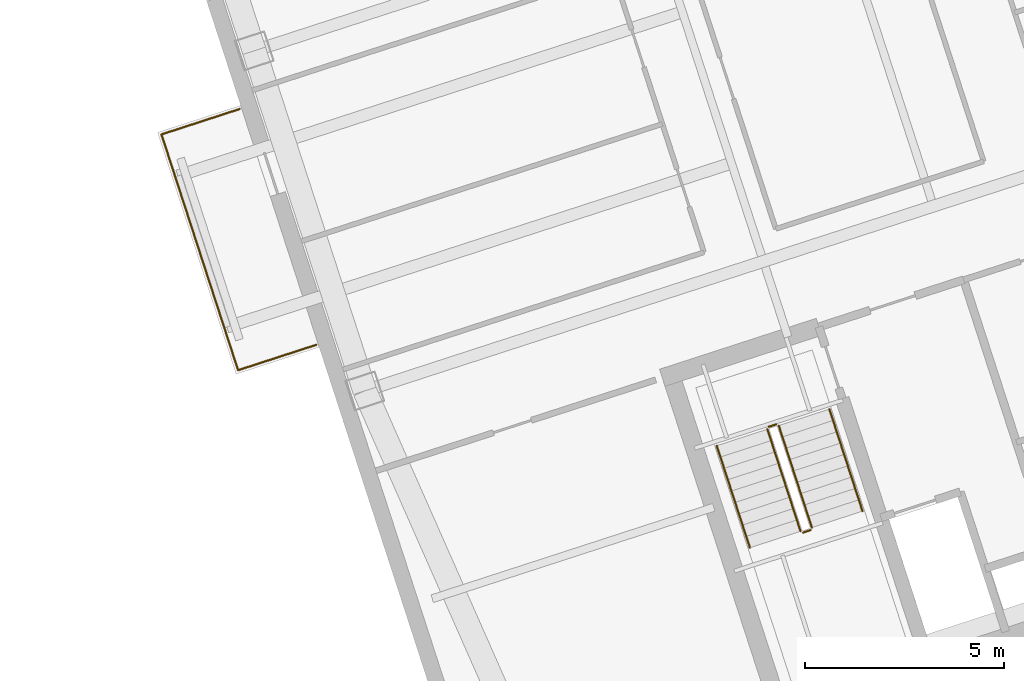
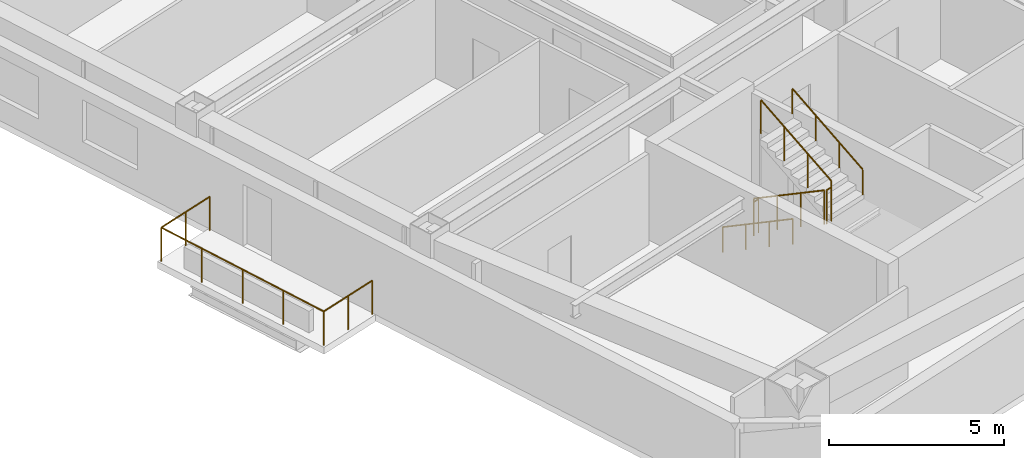
# One storey, part 15 of 16: 7 railings.
"""IFC4 building model written with IfcOpenShell, lengths in metres."""

from ifc_helpers import new_model, si_unit, direction, frame, origin, origin_2d, place, context, subcontext, project, spatial, circle, extrude, material, type_object, element, save


model = new_model("IFC4")

# Units and contexts
model_context = context("Model", 3, precision=1e-05, world=origin(), true_north=direction((0.0, 1.0)))
body_context = subcontext(model_context, "Body", "Model", "MODEL_VIEW")
ifc_project = project(units=[si_unit("LENGTHUNIT", "METRE"), si_unit("AREAUNIT", "SQUARE_METRE"), si_unit("VOLUMEUNIT", "CUBIC_METRE"), si_unit("PLANEANGLEUNIT", "RADIAN"), si_unit("MASSUNIT", "GRAM", prefix="KILO")], contexts=[model_context])

# Site, building, storey
site_placement = place(None, origin())
site = spatial("IfcSite", under=ifc_project, at=site_placement, CompositionType="ELEMENT")
building_placement = place(site_placement, origin())
building = spatial("IfcBuilding", under=site, at=building_placement, Name="Qiaolan Cultural Towers", CompositionType="ELEMENT")
storey_placement = place(building_placement, frame((0.0, 0.0, 188.60009765625)))
storey = spatial("IfcBuildingStorey", under=building, at=storey_placement, Name="L50", CompositionType="ELEMENT", Elevation=188.60009765625)

# Railings
ifc_material_1 = material(Name="Laminated SentryGlas & Stainless Steel S31608 Balustrade", Category="steel")
railing_type_1 = type_object("IfcRailingType", Name="GRD-TERR-1200", PredefinedType="BALUSTRADE", material=ifc_material_1)
railing_1_placement = place(storey_placement, frame((77.24951171875, 21.9501953125, 0.0)))
element("IfcRailing", 1, at=railing_1_placement, inside=storey, type_object=railing_type_1, Name="L50 T2 Tree Balcony Guardrail W", PredefinedType="BALUSTRADE", context=body_context, shape_type="SweptSolid", body=[
    extrude(circle(Radius=0.02392578125, at=origin_2d()), frame((0.0, 0.0, 1.17578125), z_axis=(-0.951061799618, -0.309000733507, 0.0), x_axis=(0.309000733507, -0.951061799618, 0.0)), (0.0, 0.0, 1.0), 2.070068359375),
    extrude(circle(Radius=0.02392578125, at=origin_2d()), frame((-1.96875, -0.6396484375, 1.17578125), z_axis=(-0.30901175762, 0.951058217804, 0.0), x_axis=(-0.951058217804, -0.30901175762, 0.0)), (0.0, 0.0, 1.0), 6.239990234375),
    extrude(circle(Radius=0.02392578125, at=origin_2d()), frame((-3.89697265625, 5.294921875, 1.17578125), z_axis=(0.951061799618, 0.309000733507, 0.0), x_axis=(-0.309000733507, 0.951061799618, 0.0)), (0.0, 0.0, 1.0), 2.070068359375),
    extrude(circle(Radius=0.02099609375, at=origin_2d()), origin(), (0.0, 0.0, 1.0), 1.15185546875),
    extrude(circle(Radius=0.02099609375, at=origin_2d()), frame((-0.984375, -0.31982421875, 0.0)), (0.0, 0.0, 1.0), 1.15185546875),
    extrude(circle(Radius=0.02099609375, at=origin_2d()), frame((-1.96875, -0.6396484375, 0.0)), (0.0, 0.0, 1.0), 1.15185546875),
    extrude(circle(Radius=0.02099609375, at=origin_2d()), frame((-2.45068359375, 0.843994140625, 0.0)), (0.0, 0.0, 1.0), 1.15185546875),
    extrude(circle(Radius=0.02099609375, at=origin_2d()), frame((-2.932861328125, 2.32763671875, 0.0)), (0.0, 0.0, 1.0), 1.15185546875),
    extrude(circle(Radius=0.02099609375, at=origin_2d()), frame((-3.4150390625, 3.811279296875, 0.0)), (0.0, 0.0, 1.0), 1.15185546875),
    extrude(circle(Radius=0.02099609375, at=origin_2d()), frame((-3.89697265625, 5.294921875, 0.0)), (0.0, 0.0, 1.0), 1.15185546875),
    extrude(circle(Radius=0.02099609375, at=origin_2d()), frame((-2.91259765625, 5.61474609375, 0.0)), (0.0, 0.0, 1.0), 1.15185546875),
    extrude(circle(Radius=0.02099609375, at=origin_2d()), frame((-1.92822265625, 5.9345703125, 0.0)), (0.0, 0.0, 1.0), 1.15185546875),
])
ifc_material_2 = material(Name="Galvanized Painted Steel Stair Guardrail", Category="steel")
railing_type_2 = type_object("IfcRailingType", Name="RL-STAIR-GRD", PredefinedType="GUARDRAIL", material=ifc_material_2)
railing_2_placement = place(storey_placement, frame((88.60205078125, 19.82421875, 0.17236328125)))
element("IfcRailing", 2, at=railing_2_placement, inside=storey, type_object=railing_type_2, Name="L50 ST-E1 stair guard 1", PredefinedType="GUARDRAIL", context=body_context, shape_type="SweptSolid", body=[
    extrude(circle(Radius=0.02392578125, at=origin_2d()), frame((0.0, 0.0, 1.17578125), z_axis=(0.267925668498, -0.824471088726, 0.498460891159), x_axis=(0.951043371037, 0.309057448393, 0.0)), (0.0, 0.0, 1.0), 3.114501953125),
    extrude(circle(Radius=0.02099609375, at=origin_2d()), origin(), (0.0, 0.0, 1.0), 1.15185546875),
    extrude(circle(Radius=0.02099609375, at=origin_2d()), frame((0.278076171875, -0.85595703125, 0.517578125)), (0.0, 0.0, 1.0), 1.15185546875),
    extrude(circle(Radius=0.02099609375, at=origin_2d()), frame((0.556396484375, -1.7119140625, 1.034912109375)), (0.0, 0.0, 1.0), 1.15185546875),
    extrude(circle(Radius=0.02099609375, at=origin_2d()), frame((0.83447265625, -2.56787109375, 1.552490234375)), (0.0, 0.0, 1.0), 1.15185546875),
])
railing_3_placement = place(storey_placement, frame((89.49951171875, 17.224365234375, 1.724853515625)))
element("IfcRailing", 3, at=railing_3_placement, inside=storey, type_object=railing_type_2, Name="L50 ST-E1 stair guard 2", PredefinedType="GUARDRAIL", context=body_context, shape_type="SweptSolid", body=[
    extrude(circle(Radius=0.02392578125, at=origin_2d()), frame((0.0, 0.0, 1.17578125), z_axis=(0.951096855055, 0.308892816854, 0.0), x_axis=(-0.308892816854, 0.951096855055, 0.0)), (0.0, 0.0, 1.0), 0.199951171875),
    extrude(circle(Radius=0.02099609375, at=origin_2d()), origin(), (0.0, 0.0, 1.0), 1.15185546875),
    extrude(circle(Radius=0.02099609375, at=origin_2d()), frame((0.190185546875, 0.061767578125, 0.0)), (0.0, 0.0, 1.0), 1.15185546875),
])
railing_4_placement = place(storey_placement, frame((89.721923828125, 17.34912109375, 1.8974609375)))
element("IfcRailing", 4, at=railing_4_placement, inside=storey, type_object=railing_type_2, Name="L50 ST-E1 stair guard 3", PredefinedType="GUARDRAIL", context=body_context, shape_type="SweptSolid", body=[
    extrude(circle(Radius=0.02392578125, at=origin_2d()), frame((0.0, 0.0, 1.17578125), z_axis=(-0.267925668498, 0.824471088726, 0.498460891159), x_axis=(-0.951043371037, -0.309057448393, 0.0)), (0.0, 0.0, 1.0), 3.114501953125),
    extrude(circle(Radius=0.02099609375, at=origin_2d()), origin(), (0.0, 0.0, 1.0), 1.15185546875),
    extrude(circle(Radius=0.02099609375, at=origin_2d()), frame((-0.278076171875, 0.85595703125, 0.517578125)), (0.0, 0.0, 1.0), 1.15185546875),
    extrude(circle(Radius=0.02099609375, at=origin_2d()), frame((-0.556396484375, 1.7119140625, 1.034912109375)), (0.0, 0.0, 1.0), 1.15185546875),
    extrude(circle(Radius=0.02099609375, at=origin_2d()), frame((-0.83447265625, 2.56787109375, 1.552490234375)), (0.0, 0.0, 1.0), 1.15185546875),
])
railing_5_placement = place(storey_placement, frame((88.63427734375, 19.88720703125, 0.0)))
element("IfcRailing", 5, at=railing_5_placement, inside=storey, type_object=railing_type_2, Name="L50 ST-E1 stair guard 4", PredefinedType="GUARDRAIL", context=body_context, shape_type="SweptSolid", body=[
    extrude(circle(Radius=0.02392578125, at=origin_2d()), frame((0.0, 0.0, 1.17578125), z_axis=(0.951096855055, 0.308892816854, 0.0), x_axis=(-0.308892816854, 0.951096855055, 0.0)), (0.0, 0.0, 1.0), 0.199951171875),
    extrude(circle(Radius=0.02099609375, at=origin_2d()), origin(), (0.0, 0.0, 1.0), 1.15185546875),
    extrude(circle(Radius=0.02099609375, at=origin_2d()), frame((0.190185546875, 0.061767578125, 0.0)), (0.0, 0.0, 1.0), 1.15185546875),
])
ifc_material_3 = material(Name="Stainless Steel S30408 Tubular Handrail", Category="steel")
railing_type_3 = type_object("IfcRailingType", Name="RL-STAIR-HR", PredefinedType="HANDRAIL", material=ifc_material_3)
railing_6_placement = place(storey_placement, frame((87.32763671875, 19.41015625, 0.17236328125)))
element("IfcRailing", 6, at=railing_6_placement, inside=storey, type_object=railing_type_3, Name="L50 ST-E1 stair handrail 1", PredefinedType="HANDRAIL", context=body_context, shape_type="SweptSolid", body=[
    extrude(circle(Radius=0.02392578125, at=origin_2d()), frame((0.0, 0.0, 0.8759765625), z_axis=(0.267925668498, -0.824471088726, 0.498460891159), x_axis=(0.951043371037, 0.309057448393, 0.0)), (0.0, 0.0, 1.0), 3.114501953125),
    extrude(circle(Radius=0.02099609375, at=origin_2d()), origin(), (0.0, 0.0, 1.0), 0.851806640625),
    extrude(circle(Radius=0.02099609375, at=origin_2d()), frame((0.278076171875, -0.85595703125, 0.517578125)), (0.0, 0.0, 1.0), 0.851806640625),
    extrude(circle(Radius=0.02099609375, at=origin_2d()), frame((0.556396484375, -1.7119140625, 1.034912109375)), (0.0, 0.0, 1.0), 0.851806640625),
    extrude(circle(Radius=0.02099609375, at=origin_2d()), frame((0.83447265625, -2.56787109375, 1.552490234375)), (0.0, 0.0, 1.0), 0.851806640625),
])
railing_7_placement = place(storey_placement, frame((90.996337890625, 17.76318359375, 1.8974609375)))
element("IfcRailing", 7, at=railing_7_placement, inside=storey, type_object=railing_type_3, Name="L50 ST-E1 stair handrail 2", PredefinedType="HANDRAIL", context=body_context, shape_type="SweptSolid", body=[
    extrude(circle(Radius=0.02392578125, at=origin_2d()), frame((0.0, 0.0, 0.8759765625), z_axis=(-0.267925668498, 0.824471088726, 0.498460891159), x_axis=(-0.951043371037, -0.309057448393, 0.0)), (0.0, 0.0, 1.0), 3.114501953125),
    extrude(circle(Radius=0.02099609375, at=origin_2d()), origin(), (0.0, 0.0, 1.0), 0.851806640625),
    extrude(circle(Radius=0.02099609375, at=origin_2d()), frame((-0.278076171875, 0.85595703125, 0.517578125)), (0.0, 0.0, 1.0), 0.851806640625),
    extrude(circle(Radius=0.02099609375, at=origin_2d()), frame((-0.556396484375, 1.7119140625, 1.034912109375)), (0.0, 0.0, 1.0), 0.851806640625),
    extrude(circle(Radius=0.02099609375, at=origin_2d()), frame((-0.83447265625, 2.56787109375, 1.552490234375)), (0.0, 0.0, 1.0), 0.851806640625),
])

save(model, "model.ifc")
